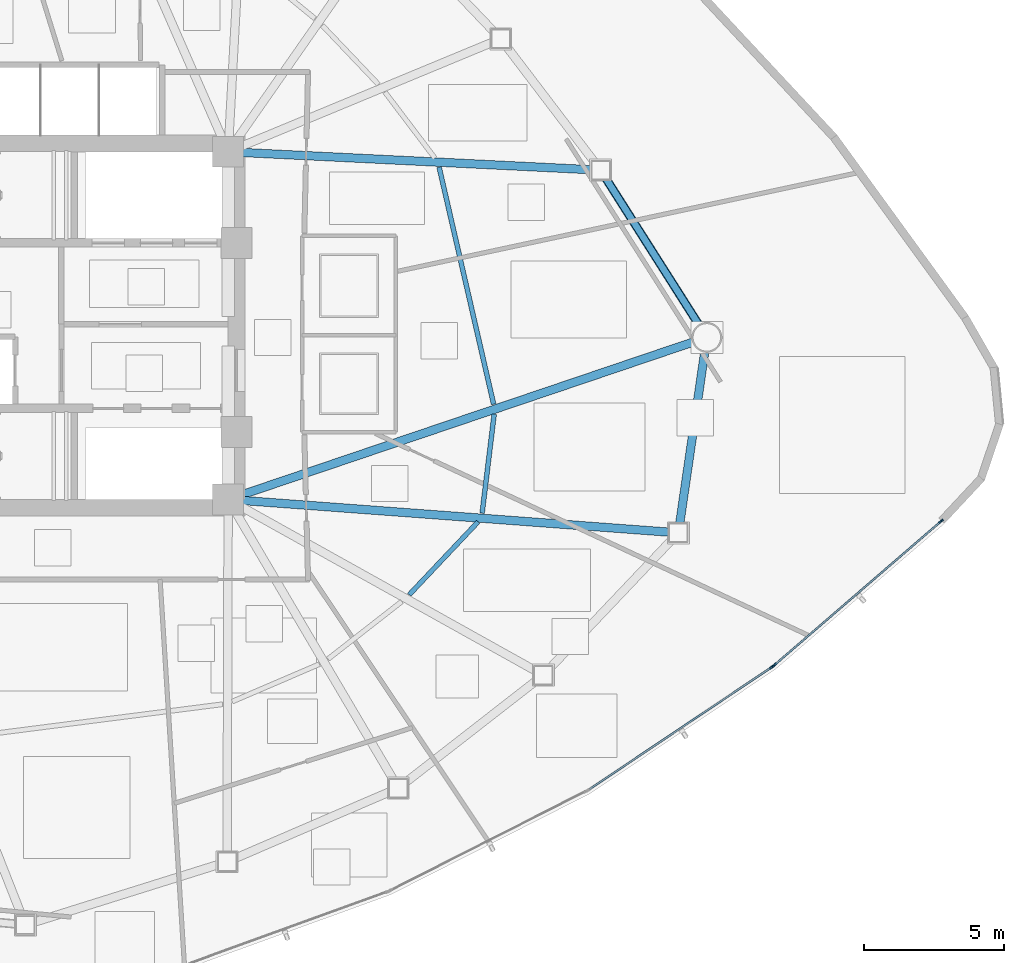
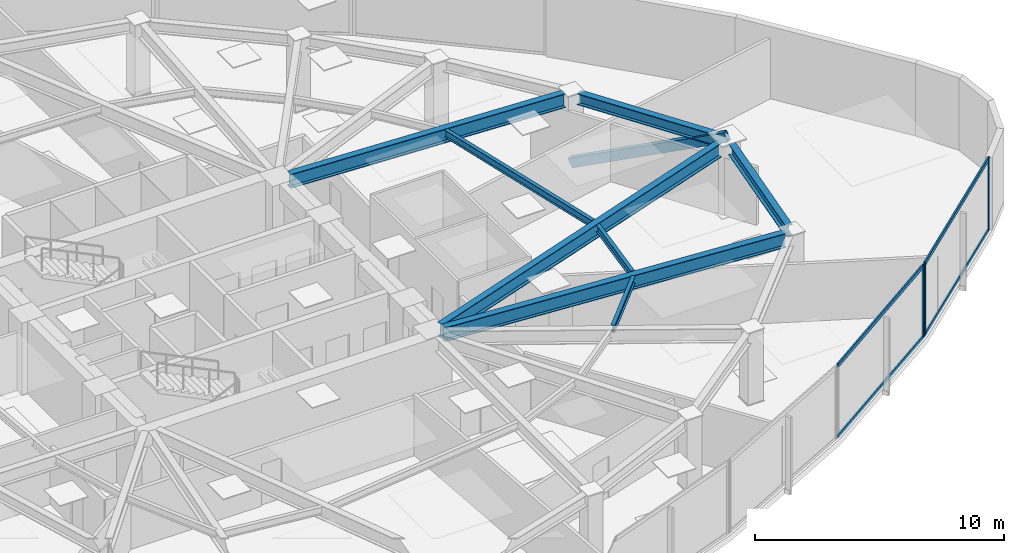
# One storey, part 6 of 17: 8 beams, 8 members, 2 elements without a shape of their own.
"""IFC4 building model written with IfcOpenShell, lengths in metres."""

from ifc_helpers import new_model, si_unit, direction, frame, origin, origin_2d, place, context, subcontext, project, spatial, hollow_rectangle, i_section, extrude, source, transform, mapped, material, layer, layer_set, material_profile, profile_set, type_object, type_shapes, element, aggregate, save


model = new_model("IFC4")

# Units and contexts
model_context = context("Model", 3, precision=1e-05, world=origin(), true_north=direction((0.0, 1.0)))
body_context = subcontext(model_context, "Body", "Model", "MODEL_VIEW")
ifc_project = project(units=[si_unit("LENGTHUNIT", "METRE"), si_unit("AREAUNIT", "SQUARE_METRE"), si_unit("VOLUMEUNIT", "CUBIC_METRE"), si_unit("PLANEANGLEUNIT", "RADIAN"), si_unit("MASSUNIT", "GRAM", prefix="KILO")], contexts=[model_context])

# Site, building, storey
site_placement = place(None, origin())
site = spatial("IfcSite", under=ifc_project, at=site_placement, CompositionType="ELEMENT")
building_placement = place(site_placement, origin())
building = spatial("IfcBuilding", under=site, at=building_placement, Name="Tavelor Broadcast Tower", CompositionType="ELEMENT")
storey_placement = place(building_placement, frame((0.0, 0.0, 131.0)))
storey = spatial("IfcBuildingStorey", under=building, at=storey_placement, Name="L30", CompositionType="ELEMENT", Elevation=131.0)

# Beams
ifc_material_1 = material(Name="Steel S355", Category="steel")
ifc_material_profile_1 = material_profile(ifc_material_1, i_section(OverallWidth=0.169921875, OverallDepth=0.360107421875, WebThickness=0.008056640625, FlangeThickness=0.0126953125, at=origin_2d()), Name="IPE 360")
ifc_profile_set_1 = profile_set([ifc_material_profile_1], Name="Steel S355")
beam_type_1 = type_object("IfcBeamType", Name="Composite Floor Joist T3 IPE 360", PredefinedType="JOIST", material=ifc_profile_set_1)
beam_1_placement = place(storey_placement, frame((63.05859375, 35.39990234375, 3.3701171875), z_axis=(0.686806065531, 0.726840717317, 0.0), x_axis=(-0.726840717317, 0.686806065531, 0.0)))
element("IfcBeam", 1, at=beam_1_placement, inside=storey, type_object=beam_type_1, Name="L30 Secondary Composite Floor Joist 11", PredefinedType="JOIST", context=body_context, shape_type="SweptSolid", body=[
    extrude(i_section(OverallWidth=0.169921875, OverallDepth=0.360107421875, WebThickness=0.008056640625, FlangeThickness=0.0126953125, at=origin_2d()), origin(), (0.0, 0.0, 1.0), 3.573486328125),
])
beam_2_placement = place(storey_placement, frame((65.6591796875, 38.30859375, 3.3701171875), z_axis=(0.120874566199, 0.992667788964, 0.0), x_axis=(-0.992667788964, 0.120874566199, 0.0)))
element("IfcBeam", 2, at=beam_2_placement, inside=storey, type_object=beam_type_1, Name="L30 Secondary Composite Floor Joist 12", PredefinedType="JOIST", context=body_context, shape_type="SweptSolid", body=[
    extrude(i_section(OverallWidth=0.169921875, OverallDepth=0.360107421875, WebThickness=0.008056640625, FlangeThickness=0.0126953125, at=origin_2d()), origin(), (0.0, 0.0, 1.0), 3.556884765625),
])
beam_3_placement = place(storey_placement, frame((66.0703125, 42.1953125, 3.3701171875), z_axis=(-0.224119909946, 0.974561576282, 0.0), x_axis=(-0.974561576282, -0.224119909946, 0.0)))
element("IfcBeam", 3, at=beam_3_placement, inside=storey, type_object=beam_type_1, Name="L30 Secondary Composite Floor Joist 13", PredefinedType="JOIST", context=body_context, shape_type="SweptSolid", body=[
    extrude(i_section(OverallWidth=0.169921875, OverallDepth=0.360107421875, WebThickness=0.008056640625, FlangeThickness=0.0126953125, at=origin_2d()), origin(), (0.0, 0.0, 1.0), 8.6796875),
])
ifc_material_profile_2 = material_profile(ifc_material_1, i_section(OverallWidth=0.300048828125, OverallDepth=0.550048828125, WebThickness=0.014892578125, FlangeThickness=0.029052734375, at=origin_2d()), Name="HEB 550")
ifc_profile_set_2 = profile_set([ifc_material_profile_2], Name="Steel S355")
beam_type_2 = type_object("IfcBeamType", Name="Perimeter Spandrel Beam T3 HEB 550", PredefinedType="SPANDREL", material=ifc_profile_set_2)
beam_4_placement = place(storey_placement, frame((72.707763671875, 37.93994140625, 3.27490234375), z_axis=(0.144294035731, 0.989534856007, 0.0), x_axis=(-0.989534856007, 0.144294035731, 0.0)))
element("IfcBeam", 4, at=beam_4_placement, inside=storey, type_object=beam_type_2, Name="L30 Framed-Tube Ring Spandrel 12", PredefinedType="SPANDREL", context=body_context, shape_type="SweptSolid", body=[
    extrude(i_section(OverallWidth=0.300048828125, OverallDepth=0.550048828125, WebThickness=0.014892578125, FlangeThickness=0.029052734375, at=origin_2d()), origin(), (0.0, 0.0, 1.0), 6.19775390625),
])
beam_5_placement = place(storey_placement, frame((73.4013671875, 45.01171875, 3.27490234375), z_axis=(-0.536283466807, 0.844037939449, 0.0), x_axis=(-0.844037939449, -0.536283466807, 0.0)))
element("IfcBeam", 5, at=beam_5_placement, inside=storey, type_object=beam_type_2, Name="L30 Framed-Tube Ring Spandrel 13", PredefinedType="SPANDREL", context=body_context, shape_type="SweptSolid", body=[
    extrude(i_section(OverallWidth=0.300048828125, OverallDepth=0.550048828125, WebThickness=0.014892578125, FlangeThickness=0.029052734375, at=origin_2d()), origin(), (0.0, 0.0, 1.0), 6.21875),
])

# Member
ifc_material_profile_3 = material_profile(ifc_material_1, hollow_rectangle(XDim=0.25, YDim=0.449951171875, WallThickness=0.02001953125, at=origin_2d()), Name="RHS 450x250x20")
ifc_profile_set_3 = profile_set([ifc_material_profile_3], Name="Steel S355")
member_type_1 = type_object("IfcMemberType", Name="Perimeter Tube Brace T3 RHS 450x250x20", PredefinedType="BRACE", material=ifc_profile_set_3)
member_1_placement = place(storey_placement, frame((69.885986328125, 50.544189453125, 0.0), z_axis=(0.479238755177, -0.754205232397, 0.448892729904), x_axis=(0.844021198089, 0.536309814544, 0.0)))
element("IfcMember", 6, at=member_1_placement, inside=storey, type_object=member_type_1, Name="L30 Corner Tube Diagonal Brace 3", PredefinedType="BRACE", context=body_context, shape_type="SweptSolid", body=[
    extrude(hollow_rectangle(XDim=0.25, YDim=0.449951171875, WallThickness=0.02001953125, at=origin_2d()), origin(), (0.0, 0.0, 1.0), 7.908447265625),
])

# Beams
ifc_material_profile_4 = material_profile(ifc_material_1, i_section(OverallWidth=0.300048828125, OverallDepth=0.68994140625, WebThickness=0.014404296875, FlangeThickness=0.027099609375, at=origin_2d()), Name="HEA 700")
ifc_profile_set_4 = profile_set([ifc_material_profile_4], Name="Steel S355")
beam_type_3 = type_object("IfcBeamType", Name="Radial Floor Girder T3 HEA 700", PredefinedType="BEAM", material=ifc_profile_set_4)
beam_6_placement = place(storey_placement, frame((57.126708984375, 38.760986328125, 3.205078125), z_axis=(0.997253617312, -0.074062289721, 0.0), x_axis=(0.074062289721, 0.997253617312, 0.0)))
element("IfcBeam", 7, at=beam_6_placement, inside=storey, type_object=beam_type_3, Name="L30 Radial Primary Floor Girder 12", PredefinedType="BEAM", context=body_context, shape_type="SweptSolid", body=[
    extrude(i_section(OverallWidth=0.300048828125, OverallDepth=0.68994140625, WebThickness=0.014404296875, FlangeThickness=0.027099609375, at=origin_2d()), origin(), (0.0, 0.0, 1.0), 15.2392578125),
])
beam_7_placement = place(storey_placement, frame((57.10009765625, 38.96923828125, 3.205078125), z_axis=(0.947217379582, 0.32059200835, 0.0), x_axis=(-0.32059200835, 0.947217379582, 0.0)))
element("IfcBeam", 8, at=beam_7_placement, inside=storey, type_object=beam_type_3, Name="L30 Radial Primary Floor Girder 13", PredefinedType="BEAM", context=body_context, shape_type="SweptSolid", body=[
    extrude(i_section(OverallWidth=0.300048828125, OverallDepth=0.68994140625, WebThickness=0.014404296875, FlangeThickness=0.027099609375, at=origin_2d()), origin(), (0.0, 0.0, 1.0), 16.987548828125),
])
beam_8_placement = place(storey_placement, frame((57.12744140625, 51.174072265625, 3.205078125), z_axis=(0.998783710906, -0.04930617435, 0.0), x_axis=(0.04930617435, 0.998783710906, 0.0)))
element("IfcBeam", 9, at=beam_8_placement, inside=storey, type_object=beam_type_3, Name="L30 Radial Primary Floor Girder 14", PredefinedType="BEAM", context=body_context, shape_type="SweptSolid", body=[
    extrude(i_section(OverallWidth=0.300048828125, OverallDepth=0.68994140625, WebThickness=0.014404296875, FlangeThickness=0.027099609375, at=origin_2d()), origin(), (0.0, 0.0, 1.0), 12.438232421875),
])

# Curtain wall, member
ifc_material_2 = material(Name="Architectural Anodized Aluminium", Category="aluminium")
ifc_layer = layer(ifc_material_2, 0.18994140625)
ifc_layer_set = layer_set([ifc_layer], Name="Architectural Anodized Aluminium")
curtain_wall_type = type_object("IfcCurtainWallType", Name="Tower Mid-Zone Acoustic Curtain Wall CW03", PredefinedType="NOTDEFINED", material=ifc_layer_set)
curtain_wall_1_placement = place(storey_placement, origin())
curtain_wall_1 = element("IfcCurtainWall", 10, at=curtain_wall_1_placement, inside=storey, type_object=curtain_wall_type, Name="L30 Curtain Wall CW03 Run 307", PredefinedType="NOTDEFINED")
ifc_material_profile_5 = material_profile(ifc_material_2, hollow_rectangle(XDim=0.068115234375, YDim=0.18994140625, WallThickness=0.02197265625, at=origin_2d()), Name="RHS 68x190x22")
ifc_profile_set_5 = profile_set([ifc_material_profile_5], Name="Architectural Anodized Aluminium")
member_type_2 = type_object("IfcMemberType", Name="CW03 Extruded Aluminium Mullion 68x190", PredefinedType="MULLION", material=ifc_profile_set_5)
shared_shape_1 = source(origin(), body_context, "Body", "SweptSolid", [
    extrude(hollow_rectangle(XDim=0.068115234375, YDim=0.18994140625, WallThickness=0.02197265625, at=origin_2d()), origin(), (0.0, 0.0, 1.0), 3.550048828125),
])
type_shapes(member_type_2, [shared_shape_1])
member_2_placement = place(storey_placement, frame((75.9912109375, 32.819091796875, 0.0), z_axis=(0.0, 0.0, 1.0), x_axis=(-0.556679212729, 0.830727545056, 0.0)))
member_2 = element("IfcMember", 11, at=member_2_placement, type_object=member_type_2, Name="CW03 mullion 2", PredefinedType="MULLION", context=body_context, shape_type="MappedRepresentation", body=[
    mapped(shared_shape_1, transform((0.0, 0.0, 0.0), scale=1.0)),
])

# Curtain wall, members
curtain_wall_2_placement = place(storey_placement, origin())
curtain_wall_2 = element("IfcCurtainWall", 12, at=curtain_wall_2_placement, inside=storey, type_object=curtain_wall_type, Name="L30 Curtain Wall CW03 Run 308", PredefinedType="NOTDEFINED")
member_3_placement = place(storey_placement, frame((76.069091796875, 32.87841796875, 0.0), z_axis=(0.0, 0.0, 1.0), x_axis=(-0.65310779742, 0.757264950297, 0.0)))
member_3 = element("IfcMember", 13, at=member_3_placement, type_object=member_type_2, Name="CW03 mullion 1", PredefinedType="MULLION", context=body_context, shape_type="MappedRepresentation", body=[
    mapped(shared_shape_1, transform((0.0, 0.0, 0.0), scale=1.0)),
])
member_4_placement = place(storey_placement, frame((82.029541015625, 38.01904296875, 0.0), z_axis=(0.0, 0.0, 1.0), x_axis=(-0.65310779742, 0.757264950297, 0.0)))
member_4 = element("IfcMember", 14, at=member_4_placement, type_object=member_type_2, Name="CW03 mullion 2", PredefinedType="MULLION", context=body_context, shape_type="MappedRepresentation", body=[
    mapped(shared_shape_1, transform((0.0, 0.0, 0.0), scale=1.0)),
])

# Member
ifc_material_profile_6 = material_profile(ifc_material_2, hollow_rectangle(XDim=0.068115234375, YDim=0.18994140625, WallThickness=0.02197265625, at=origin_2d()), Name="RHS 68x190x22")
ifc_profile_set_6 = profile_set([ifc_material_profile_6], Name="Architectural Anodized Aluminium")
member_type_3 = type_object("IfcMemberType", Name="CW03 Extruded Aluminium Transom 68x190", PredefinedType="USERDEFINED", material=ifc_profile_set_6)
shared_shape_2 = source(origin(), body_context, "Body", "SweptSolid", [
    extrude(hollow_rectangle(XDim=0.068115234375, YDim=0.18994140625, WallThickness=0.02197265625, at=origin_2d()), origin(), (0.0, 0.0, 1.0), 7.786865234375),
])
member_5_placement = place(storey_placement, frame((69.494140625, 28.46533203125, 0.033935546875), z_axis=(0.83073112055, 0.556673877014, 0.0), x_axis=(-0.556673877014, 0.83073112055, 0.0)))
member_5 = element("IfcMember", 15, at=member_5_placement, type_object=member_type_3, Name="CW03 transom 1.1", ObjectType="TRANSOM", PredefinedType="USERDEFINED", context=body_context, shape_type="MappedRepresentation", body=[
    mapped(shared_shape_2, transform((0.0, 0.0, 0.0), scale=1.0)),
])

member_6_placement = place(storey_placement, frame((69.494140625, 28.46533203125, 3.51611328125), z_axis=(0.83073112055, 0.556673877014, 0.0), x_axis=(-0.556673877014, 0.83073112055, 0.0)))
member_6 = element("IfcMember", 16, at=member_6_placement, type_object=member_type_3, Name="CW03 transom 1.2", ObjectType="TRANSOM", PredefinedType="USERDEFINED", context=body_context, shape_type="MappedRepresentation", body=[
    mapped(shared_shape_2, transform((0.0, 0.0, 0.0), scale=1.0)),
])

aggregate(curtain_wall_1, [member_2, member_5, member_6])

shared_shape_3 = source(origin(), body_context, "Body", "SweptSolid", [
    extrude(hollow_rectangle(XDim=0.068115234375, YDim=0.18994140625, WallThickness=0.02197265625, at=origin_2d()), origin(), (0.0, 0.0, 1.0), 7.802978515625),
])
type_shapes(member_type_3, [shared_shape_2, shared_shape_3])
member_7_placement = place(storey_placement, frame((76.094970703125, 32.900634765625, 0.033935546875), z_axis=(0.757265347716, 0.653107336621, 0.0), x_axis=(-0.653107336621, 0.757265347716, 0.0)))
member_7 = element("IfcMember", 17, at=member_7_placement, type_object=member_type_3, Name="CW03 transom 1.1", ObjectType="TRANSOM", PredefinedType="USERDEFINED", context=body_context, shape_type="MappedRepresentation", body=[
    mapped(shared_shape_3, transform((0.0, 0.0, 0.0), scale=1.0)),
])

member_8_placement = place(storey_placement, frame((76.094970703125, 32.900634765625, 3.51611328125), z_axis=(0.757265347716, 0.653107336621, 0.0), x_axis=(-0.653107336621, 0.757265347716, 0.0)))
member_8 = element("IfcMember", 18, at=member_8_placement, type_object=member_type_3, Name="CW03 transom 1.2", ObjectType="TRANSOM", PredefinedType="USERDEFINED", context=body_context, shape_type="MappedRepresentation", body=[
    mapped(shared_shape_3, transform((0.0, 0.0, 0.0), scale=1.0)),
])

aggregate(curtain_wall_2, [member_3, member_4, member_7, member_8])

save(model, "model.ifc")
